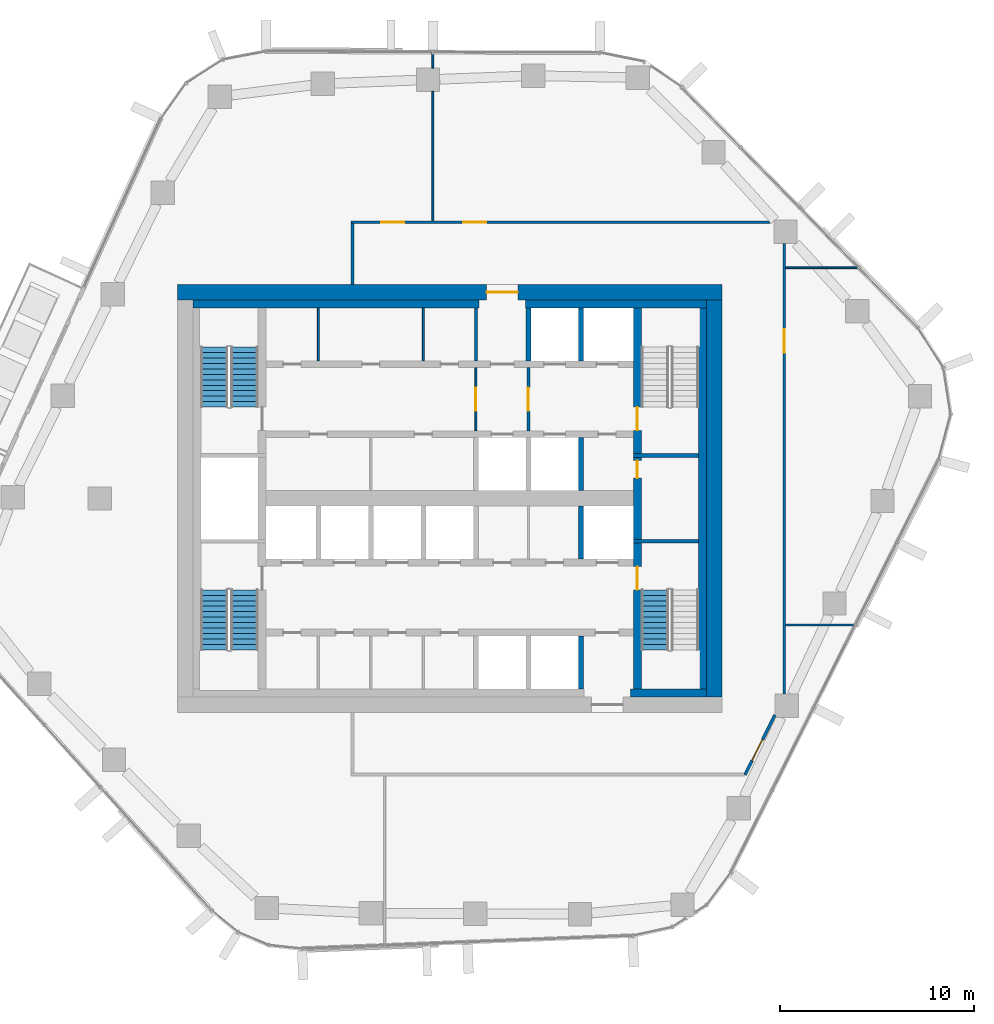
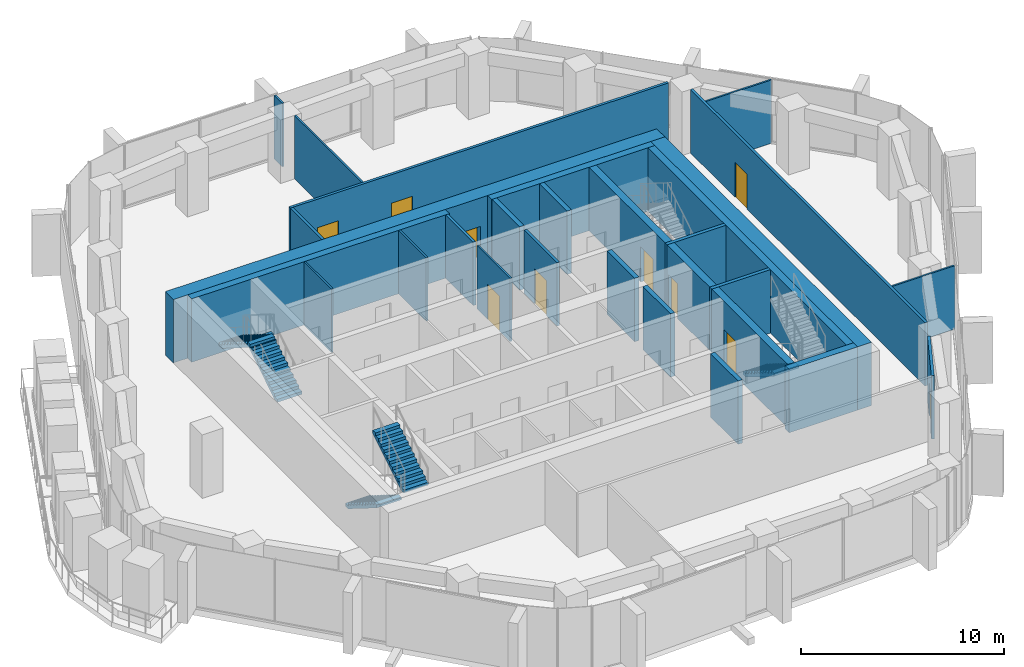
# One storey, part 13 of 18: 29 walls, 10 doors, 5 stair flights, 10 openings, 3 elements without a shape of their own.
"""IFC4 building model written with IfcOpenShell, lengths in metres."""

from ifc_helpers import new_model, si_unit, direction, frame, frame_2d, origin, place, context, subcontext, project, spatial, polyline, rectangle, outline, extrude, material, layer, layer_set, type_object, element, fill, aggregate, save


model = new_model("IFC4")

# Units and contexts
model_context = context("Model", 3, precision=1e-05, world=origin(), true_north=direction((0.0, 1.0)))
body_context = subcontext(model_context, "Body", "Model", "MODEL_VIEW")
ifc_project = project(units=[si_unit("LENGTHUNIT", "METRE"), si_unit("AREAUNIT", "SQUARE_METRE"), si_unit("VOLUMEUNIT", "CUBIC_METRE"), si_unit("PLANEANGLEUNIT", "RADIAN"), si_unit("MASSUNIT", "GRAM", prefix="KILO")], contexts=[model_context])

# Site, building, storey
site_placement = place(None, origin())
site = spatial("IfcSite", under=ifc_project, at=site_placement, CompositionType="ELEMENT")
building_placement = place(site_placement, origin())
building = spatial("IfcBuilding", under=site, at=building_placement, Name="Dongbaek Canopy Tower", CompositionType="ELEMENT")
storey_placement = place(building_placement, frame((0.0, 0.0, 203.0)))
storey = spatial("IfcBuildingStorey", under=building, at=storey_placement, Name="L42", CompositionType="ELEMENT", Elevation=203.0)

# Wall, opening, door
ifc_material_1 = material(Name="Concrete C70/85", Category="concrete")
ifc_layer_1 = layer(ifc_material_1, 0.800048828125)
ifc_layer_set_1 = layer_set([ifc_layer_1], Name="Core outer wall 800 Concrete C70/85")
wall_type_1 = type_object("IfcWallType", Name="Core outer wall 800 Concrete C70/85", PredefinedType="SHEAR", material=ifc_layer_set_1)
wall_1_placement = place(storey_placement, frame((-14.0, 10.60009765625, 0.0), z_axis=(0.0, 0.0, 1.0), x_axis=(1.0, 0.0, 0.0)))
wall_1 = element("IfcWall", 1, at=wall_1_placement, inside=storey, type_object=wall_type_1, Name="Core wall", PredefinedType="SHEAR", context=body_context, shape_type="SweptSolid", body=[
    extrude(rectangle(XDim=28.0, YDim=0.800048828125, at=frame_2d((14.0, 0.0))), origin(), (0.0, 0.0, 1.0), 3.820068359375),
])
opening_1_placement = place(wall_1_placement, frame((15.89990234375, 0.0, 0.0)))
opening_1 = element("IfcOpeningElement", 2, at=opening_1_placement, cuts=wall_1, Name="Opening L42-D006", PredefinedType="OPENING", context=body_context, shape_type="SweptSolid", body=[
    extrude(rectangle(XDim=1.60009765625, YDim=2.10009765625, at=frame_2d((0.800048828125, 1.050048828125))), frame((0.0, 0.409912109375, 0.0), z_axis=(0.0, -1.0, 0.0), x_axis=(1.0, 0.0, 0.0)), (0.0, 0.0, 1.0), 0.820068359375),
])
ifc_material_2 = material(Name="Steel", Category="steel")
door_type_1 = type_object("IfcDoorType", Name="Core exit door 1600 x 2100", OperationType="DOUBLE_DOOR_SINGLE_SWING", PredefinedType="DOOR", material=ifc_material_2)
door_1_placement = place(opening_1_placement, origin())
door_1 = element("IfcDoor", 3, at=door_1_placement, inside=storey, type_object=door_type_1, Name="Core exit door", OperationType="DOUBLE_DOOR_SINGLE_SWING", OverallHeight=2.10009765625, OverallWidth=1.60009765625, PredefinedType="DOOR", context=body_context, shape_type="SweptSolid", body=[
    extrude(rectangle(XDim=1.60009765625, YDim=2.10009765625, at=frame_2d((0.800048828125, 1.050048828125))), frame((0.0, 0.02490234375, 0.0), z_axis=(0.0, -1.0, 0.0), x_axis=(1.0, 0.0, 0.0)), (0.0, 0.0, 1.0), 0.050048828125),
])
fill(opening_1, door_1)

# Walls
wall_2_placement = place(storey_placement, frame((13.60009765625, 10.199951171875, 0.0), z_axis=(0.0, 0.0, 1.0), x_axis=(0.0, -1.0, 0.0)))
element("IfcWall", 4, at=wall_2_placement, inside=storey, type_object=wall_type_1, Name="Core wall", PredefinedType="SHEAR", context=body_context, shape_type="SweptSolid", body=[
    extrude(rectangle(XDim=20.39990234375, YDim=0.800048828125, at=frame_2d((10.199951171875, 0.0))), origin(), (0.0, 0.0, 1.0), 3.820068359375),
])
ifc_material_3 = material(Name="Concrete C60/75", Category="concrete")
ifc_layer_2 = layer(ifc_material_3, 0.39990234375)
ifc_layer_set_2 = layer_set([ifc_layer_2], Name="Core wall lining 400 Concrete C60/75")
wall_type_2 = type_object("IfcWallType", Name="Core wall lining 400 Concrete C60/75", PredefinedType="SHEAR", material=ifc_layer_set_2)
wall_3_placement = place(storey_placement, frame((-13.199951171875, 10.0, 0.0), z_axis=(0.0, 0.0, 1.0), x_axis=(1.0, 0.0, 0.0)))
element("IfcWall", 5, at=wall_3_placement, inside=storey, type_object=wall_type_2, Name="Core wall lining", PredefinedType="SHEAR", context=body_context, shape_type="SweptSolid", body=[
    extrude(rectangle(XDim=14.699951171875, YDim=0.39990234375, at=frame_2d((7.35009765625, 0.0))), origin(), (0.0, 0.0, 1.0), 3.820068359375),
])
wall_4_placement = place(storey_placement, frame((3.89990234375, 10.0, 0.0), z_axis=(0.0, 0.0, 1.0), x_axis=(1.0, 0.0, 0.0)))
element("IfcWall", 6, at=wall_4_placement, inside=storey, type_object=wall_type_2, Name="Core wall lining", PredefinedType="SHEAR", context=body_context, shape_type="SweptSolid", body=[
    extrude(rectangle(XDim=9.300048828125, YDim=0.39990234375, at=frame_2d((4.64990234375, 0.0))), origin(), (0.0, 0.0, 1.0), 3.820068359375),
])
wall_5_placement = place(storey_placement, frame((13.199951171875, -10.0, 0.0), z_axis=(0.0, 0.0, 1.0), x_axis=(-1.0, 0.0, 0.0)))
element("IfcWall", 7, at=wall_5_placement, inside=storey, type_object=wall_type_2, Name="Core wall lining", PredefinedType="SHEAR", context=body_context, shape_type="SweptSolid", body=[
    extrude(rectangle(XDim=3.89990234375, YDim=0.39990234375, at=frame_2d((1.949951171875, 0.0))), origin(), (0.0, 0.0, 1.0), 3.820068359375),
])
wall_6_placement = place(storey_placement, frame((13.0, 9.800048828125, 0.0), z_axis=(0.0, 0.0, 1.0), x_axis=(0.0, -1.0, 0.0)))
element("IfcWall", 8, at=wall_6_placement, inside=storey, type_object=wall_type_2, Name="Core wall lining", PredefinedType="SHEAR", context=body_context, shape_type="SweptSolid", body=[
    extrude(rectangle(XDim=19.60009765625, YDim=0.39990234375, at=frame_2d((9.800048828125, 0.0))), origin(), (0.0, 0.0, 1.0), 3.820068359375),
])

# Wall, openings, doors
ifc_material_4 = material(Name="Gypsum board partition, steel stud, 2 x 15 mm fire board", Category="steel")
ifc_layer_3 = layer(ifc_material_4, 0.14990234375)
ifc_layer_set_3 = layer_set([ifc_layer_3], Name="Fire-rated partition 150 gypsum board")
wall_type_3 = type_object("IfcWallType", Name="Fire-rated partition 150 gypsum board", PredefinedType="PARTITIONING", material=ifc_layer_set_3)
wall_7_placement = place(storey_placement, frame((-5.074951171875, 14.199951171875, 0.0), z_axis=(0.0, 0.0, 1.0), x_axis=(1.0, 0.0, 0.0)))
wall_7 = element("IfcWall", 9, at=wall_7_placement, inside=storey, type_object=wall_type_3, Name="Corridor partition", PredefinedType="PARTITIONING", context=body_context, shape_type="SweptSolid", body=[
    extrude(rectangle(XDim=21.551025390625, YDim=0.14990234375, at=frame_2d((10.775390625, 0.0))), origin(), (0.0, 0.0, 1.0), 3.820068359375),
])
opening_2_placement = place(wall_7_placement, frame((5.763916015625, 0.0, 0.0)))
opening_2 = element("IfcOpeningElement", 10, at=opening_2_placement, cuts=wall_7, Name="Opening L42-D003", PredefinedType="OPENING", context=body_context, shape_type="SweptSolid", body=[
    extrude(rectangle(XDim=1.199951171875, YDim=2.10009765625, at=frame_2d((0.60009765625, 1.050048828125))), frame((0.0, 0.0849609375, 0.0), z_axis=(0.0, -1.0, 0.0), x_axis=(1.0, 0.0, 0.0)), (0.0, 0.0, 1.0), 0.169921875),
])
opening_3_placement = place(wall_7_placement, frame((1.544677734375, 0.0, 0.0)))
opening_3 = element("IfcOpeningElement", 11, at=opening_3_placement, cuts=wall_7, Name="Opening L42-D004", PredefinedType="OPENING", context=body_context, shape_type="SweptSolid", body=[
    extrude(rectangle(XDim=1.199951171875, YDim=2.10009765625, at=frame_2d((0.60009765625, 1.050048828125))), frame((0.0, 0.0849609375, 0.0), z_axis=(0.0, -1.0, 0.0), x_axis=(1.0, 0.0, 0.0)), (0.0, 0.0, 1.0), 0.169921875),
])
ifc_material_5 = material(Name="Timber veneered door leaf", Category="wood")
door_type_2 = type_object("IfcDoorType", Name="Room door 1200 x 2100", OperationType="SINGLE_SWING_LEFT", PredefinedType="DOOR", material=ifc_material_5)
door_2_placement = place(opening_2_placement, origin())
door_2 = element("IfcDoor", 12, at=door_2_placement, inside=storey, type_object=door_type_2, Name="Door L42-D003", OperationType="SINGLE_SWING_RIGHT", OverallHeight=2.10009765625, OverallWidth=1.199951171875, PredefinedType="DOOR", context=body_context, shape_type="SweptSolid", body=[
    extrude(rectangle(XDim=1.199951171875, YDim=2.10009765625, at=frame_2d((0.60009765625, 1.050048828125))), frame((0.0, 0.02490234375, 0.0), z_axis=(0.0, -1.0, 0.0), x_axis=(1.0, 0.0, 0.0)), (0.0, 0.0, 1.0), 0.050048828125),
])
fill(opening_2, door_2)
door_3_placement = place(opening_3_placement, origin())
door_3 = element("IfcDoor", 13, at=door_3_placement, inside=storey, type_object=door_type_2, Name="Door L42-D004", OperationType="SINGLE_SWING_LEFT", OverallHeight=2.10009765625, OverallWidth=1.199951171875, PredefinedType="DOOR", context=body_context, shape_type="SweptSolid", body=[
    extrude(rectangle(XDim=1.199951171875, YDim=2.10009765625, at=frame_2d((0.60009765625, 1.050048828125))), frame((0.0, 0.02490234375, 0.0), z_axis=(0.0, -1.0, 0.0), x_axis=(1.0, 0.0, 0.0)), (0.0, 0.0, 1.0), 0.050048828125),
])
fill(opening_3, door_3)

# Wall, opening, door
wall_8_placement = place(storey_placement, frame((16.721923828125, -11.135986328125, 0.0), z_axis=(0.0, 0.0, 1.0), x_axis=(-0.449461267312, -0.893299820433, 0.0)))
wall_8 = element("IfcWall", 14, at=wall_8_placement, inside=storey, type_object=wall_type_3, Name="Corridor partition", PredefinedType="PARTITIONING", context=body_context, shape_type="SweptSolid", body=[
    extrude(rectangle(XDim=3.43017578125, YDim=0.14990234375, at=frame_2d((1.715087890625, 0.0))), origin(), (0.0, 0.0, 1.0), 3.820068359375),
])
opening_4_placement = place(wall_8_placement, frame((1.42138671875, 0.0, 0.0)))
opening_4 = element("IfcOpeningElement", 15, at=opening_4_placement, cuts=wall_8, Name="Opening L42-D001", PredefinedType="OPENING", context=body_context, shape_type="SweptSolid", body=[
    extrude(rectangle(XDim=1.199951171875, YDim=2.10009765625, at=frame_2d((0.60009765625, 1.050048828125))), frame((0.0, 0.0849609375, 0.0), z_axis=(0.0, -1.0, 0.0), x_axis=(1.0, 0.0, 0.0)), (0.0, 0.0, 1.0), 0.169921875),
])
door_4_placement = place(opening_4_placement, origin())
door_4 = element("IfcDoor", 16, at=door_4_placement, inside=storey, type_object=door_type_2, Name="Door L42-D001", OperationType="SINGLE_SWING_RIGHT", OverallHeight=2.10009765625, OverallWidth=1.199951171875, PredefinedType="DOOR", context=body_context, shape_type="SweptSolid", body=[
    extrude(rectangle(XDim=1.199951171875, YDim=2.10009765625, at=frame_2d((0.60009765625, 1.050048828125))), frame((0.0, 0.02490234375, 0.0), z_axis=(0.0, -1.0, 0.0), x_axis=(1.0, 0.0, 0.0)), (0.0, 0.0, 1.0), 0.050048828125),
])
fill(opening_4, door_4)

wall_9_placement = place(storey_placement, frame((17.199951171875, 13.10595703125, 0.0), z_axis=(0.0, 0.0, 1.0), x_axis=(0.0, -1.0, 0.0)))
wall_9 = element("IfcWall", 17, at=wall_9_placement, inside=storey, type_object=wall_type_3, Name="Corridor partition", PredefinedType="PARTITIONING", context=body_context, shape_type="SweptSolid", body=[
    extrude(rectangle(XDim=23.171875, YDim=0.14990234375, at=frame_2d((11.5859375, 0.0))), origin(), (0.0, 0.0, 1.0), 3.820068359375),
])
opening_5_placement = place(wall_9_placement, frame((4.41162109375, 0.0, 0.0)))
opening_5 = element("IfcOpeningElement", 18, at=opening_5_placement, cuts=wall_9, Name="Opening L42-D002", PredefinedType="OPENING", context=body_context, shape_type="SweptSolid", body=[
    extrude(rectangle(XDim=1.199951171875, YDim=2.10009765625, at=frame_2d((0.60009765625, 1.050048828125))), frame((0.0, 0.0849609375, 0.0), z_axis=(0.0, -1.0, 0.0), x_axis=(1.0, 0.0, 0.0)), (0.0, 0.0, 1.0), 0.169921875),
])
door_5_placement = place(opening_5_placement, origin())
door_5 = element("IfcDoor", 19, at=door_5_placement, inside=storey, type_object=door_type_2, Name="Door L42-D002", OperationType="SINGLE_SWING_LEFT", OverallHeight=2.10009765625, OverallWidth=1.199951171875, PredefinedType="DOOR", context=body_context, shape_type="SweptSolid", body=[
    extrude(rectangle(XDim=1.199951171875, YDim=2.10009765625, at=frame_2d((0.60009765625, 1.050048828125))), frame((0.0, 0.02490234375, 0.0), z_axis=(0.0, -1.0, 0.0), x_axis=(1.0, 0.0, 0.0)), (0.0, 0.0, 1.0), 0.050048828125),
])
fill(opening_5, door_5)

# Wall
wall_10_placement = place(storey_placement, frame((-5.0, 11.0, 0.0), z_axis=(0.0, 0.0, 1.0), x_axis=(0.0, 1.0, 0.0)))
element("IfcWall", 20, at=wall_10_placement, inside=storey, type_object=wall_type_3, Name="Corridor partition", PredefinedType="PARTITIONING", context=body_context, shape_type="SweptSolid", body=[
    extrude(rectangle(XDim=3.125, YDim=0.14990234375, at=frame_2d((1.5625, 0.0))), origin(), (0.0, 0.0, 1.0), 3.820068359375),
])

# Wall, opening, door
wall_11_placement = place(storey_placement, frame((4.050048828125, 6.72509765625, 0.0), z_axis=(0.0, 0.0, 1.0), x_axis=(0.0, -1.0, 0.0)))
wall_11 = element("IfcWall", 21, at=wall_11_placement, inside=storey, type_object=wall_type_3, Name="Fire lobby partition", PredefinedType="PARTITIONING", context=body_context, shape_type="SweptSolid", body=[
    extrude(rectangle(XDim=3.25, YDim=0.14990234375, at=frame_2d((1.625, 0.0))), origin(), (0.0, 0.0, 1.0), 3.820068359375),
])
opening_6_placement = place(wall_11_placement, frame((1.02490234375, 0.0, 0.0)))
opening_6 = element("IfcOpeningElement", 22, at=opening_6_placement, cuts=wall_11, Name="Opening L42-D036", PredefinedType="OPENING", context=body_context, shape_type="SweptSolid", body=[
    extrude(rectangle(XDim=1.199951171875, YDim=2.10009765625, at=frame_2d((0.60009765625, 1.050048828125))), frame((0.0, 0.0849609375, 0.0), z_axis=(0.0, -1.0, 0.0), x_axis=(1.0, 0.0, 0.0)), (0.0, 0.0, 1.0), 0.169921875),
])
ifc_material_6 = material(Name="Steel", Category="steel")
door_type_3 = type_object("IfcDoorType", Name="Fire lobby door 1200 x 2100", OperationType="SINGLE_SWING_LEFT", PredefinedType="DOOR", material=ifc_material_6)
door_6_placement = place(opening_6_placement, origin())
door_6 = element("IfcDoor", 23, at=door_6_placement, inside=storey, type_object=door_type_3, Name="Door L42-D036", OperationType="SINGLE_SWING_RIGHT", OverallHeight=2.10009765625, OverallWidth=1.199951171875, PredefinedType="DOOR", context=body_context, shape_type="SweptSolid", body=[
    extrude(rectangle(XDim=1.199951171875, YDim=2.10009765625, at=frame_2d((0.60009765625, 1.050048828125))), frame((0.0, 0.02490234375, 0.0), z_axis=(0.0, -1.0, 0.0), x_axis=(1.0, 0.0, 0.0)), (0.0, 0.0, 1.0), 0.050048828125),
])
fill(opening_6, door_6)

# Walls
wall_12_placement = place(storey_placement, frame((1.35009765625, 7.074951171875, 0.0), z_axis=(0.0, 0.0, 1.0), x_axis=(0.0, 1.0, 0.0)))
element("IfcWall", 24, at=wall_12_placement, inside=storey, type_object=wall_type_3, Name="Fire lobby partition", PredefinedType="PARTITIONING", context=body_context, shape_type="SweptSolid", body=[
    extrude(rectangle(XDim=2.72509765625, YDim=0.14990234375, at=frame_2d((1.362548828125, 0.0))), origin(), (0.0, 0.0, 1.0), 3.820068359375),
])
ifc_material_7 = material(Name="Concrete C40/50", Category="concrete")
ifc_layer_4 = layer(ifc_material_7, 0.25)
ifc_layer_set_4 = layer_set([ifc_layer_4], Name="Lift shaft wall 250 Concrete C40/50")
wall_type_4 = type_object("IfcWallType", Name="Lift shaft wall 250 Concrete C40/50", PredefinedType="SOLIDWALL", material=ifc_layer_set_4)
for number, where, z_axis, x_axis, name in (
    (25, (6.75, -9.800048828125, 0.0), (0.0, 0.0, 1.0), (0.0, 1.0, 0.0), "Lift shaft wall"),
    (26, (6.75, -3.125, 0.0), (0.0, 0.0, 1.0), (0.0, 1.0, 0.0), "Lift shaft wall"),
    (27, (6.75, 0.39990234375, 0.0), (0.0, 0.0, 1.0), (0.0, 1.0, 0.0), "Lift shaft wall"),
    (28, (6.75, 7.074951171875, 0.0), (0.0, 0.0, 1.0), (0.0, 1.0, 0.0), "Lift shaft wall"),
    (29, (4.050048828125, 7.074951171875, 0.0), (0.0, 0.0, 1.0), (0.0, 1.0, 0.0), "Lift shaft wall"),
):
    element("IfcWall", number, at=place(storey_placement, frame(where, z_axis=z_axis, x_axis=x_axis)), inside=storey, type_object=wall_type_4, Name=name, PredefinedType="SOLIDWALL", context=body_context, shape_type="SweptSolid", body=[
        extrude(rectangle(XDim=2.72509765625, YDim=0.25, at=frame_2d((1.362548828125, 0.0))), origin(), (0.0, 0.0, 1.0), 3.820068359375),
    ])
ifc_material_8 = material(Name="Gypsum board partition, steel stud, 2 x 12.5 mm board", Category="steel")
ifc_layer_5 = layer(ifc_material_8, 0.10009765625)
ifc_layer_set_5 = layer_set([ifc_layer_5], Name="Partition 100 gypsum board")
wall_type_5 = type_object("IfcWallType", Name="Partition 100 gypsum board", PredefinedType="PARTITIONING", material=ifc_layer_set_5)
wall_13_placement = place(storey_placement, frame((17.27490234375, -6.506103515625, 0.0), z_axis=(0.0, 0.0, 1.0), x_axis=(1.0, 0.0, 0.0)))
element("IfcWall", 30, at=wall_13_placement, inside=storey, type_object=wall_type_5, Name="Partition", PredefinedType="PARTITIONING", context=body_context, shape_type="SweptSolid", body=[
    extrude(rectangle(XDim=3.567626953125, YDim=0.10009765625, at=frame_2d((1.78369140625, 0.0))), origin(), (0.0, 0.0, 1.0), 3.820068359375),
])
wall_14_placement = place(storey_placement, frame((17.27490234375, 11.862060546875, 0.0), z_axis=(0.0, 0.0, 1.0), x_axis=(1.0, 0.0, 0.0)))
element("IfcWall", 31, at=wall_14_placement, inside=storey, type_object=wall_type_5, Name="Partition", PredefinedType="PARTITIONING", context=body_context, shape_type="SweptSolid", body=[
    extrude(rectangle(XDim=3.73681640625, YDim=0.10009765625, at=frame_2d((1.868408203125, 0.0))), origin(), (0.0, 0.0, 1.0), 3.820068359375),
])
wall_15_placement = place(storey_placement, frame((-0.861083984375, 14.27490234375, 0.0), z_axis=(0.0, 0.0, 1.0), x_axis=(0.0, 1.0, 0.0)))
element("IfcWall", 32, at=wall_15_placement, inside=storey, type_object=wall_type_5, Name="Partition", PredefinedType="PARTITIONING", context=body_context, shape_type="SweptSolid", body=[
    extrude(rectangle(XDim=6.655029296875, YDim=0.10009765625, at=frame_2d((3.32763671875, 0.0))), origin(), (0.0, 0.0, 1.0), 3.820068359375),
])
wall_16_placement = place(storey_placement, frame((-0.861083984375, 22.1298828125, 0.0), z_axis=(0.0, 0.0, 1.0), x_axis=(0.0, 1.0, 0.0)))
element("IfcWall", 33, at=wall_16_placement, inside=storey, type_object=wall_type_5, Name="Partition", PredefinedType="PARTITIONING", context=body_context, shape_type="SweptSolid", body=[
    extrude(rectangle(XDim=0.798583984375, YDim=0.10009765625, at=frame_2d((0.3994140625, 0.0))), origin(), (0.0, 0.0, 1.0), 3.820068359375),
])

# Wall, opening, door
wall_17_placement = place(storey_placement, frame((1.35009765625, 6.72509765625, 0.0), z_axis=(0.0, 0.0, 1.0), x_axis=(0.0, -1.0, 0.0)))
wall_17 = element("IfcWall", 34, at=wall_17_placement, inside=storey, type_object=wall_type_5, Name="Core partition", PredefinedType="PARTITIONING", context=body_context, shape_type="SweptSolid", body=[
    extrude(rectangle(XDim=3.25, YDim=0.10009765625, at=frame_2d((1.625, 0.0))), origin(), (0.0, 0.0, 1.0), 3.820068359375),
])
opening_7_placement = place(wall_17_placement, frame((1.02490234375, 0.0, 0.0)))
opening_7 = element("IfcOpeningElement", 35, at=opening_7_placement, cuts=wall_17, Name="Opening L42-D035", PredefinedType="OPENING", context=body_context, shape_type="SweptSolid", body=[
    extrude(rectangle(XDim=1.199951171875, YDim=2.10009765625, at=frame_2d((0.60009765625, 1.050048828125))), frame((0.0, 0.06005859375, 0.0), z_axis=(0.0, -1.0, 0.0), x_axis=(1.0, 0.0, 0.0)), (0.0, 0.0, 1.0), 0.1201171875),
])
door_7_placement = place(opening_7_placement, origin())
door_7 = element("IfcDoor", 36, at=door_7_placement, inside=storey, type_object=door_type_3, Name="Door L42-D035", OperationType="SINGLE_SWING_LEFT", OverallHeight=2.10009765625, OverallWidth=1.199951171875, PredefinedType="DOOR", context=body_context, shape_type="SweptSolid", body=[
    extrude(rectangle(XDim=1.199951171875, YDim=2.10009765625, at=frame_2d((0.60009765625, 1.050048828125))), frame((0.0, 0.02490234375, 0.0), z_axis=(0.0, -1.0, 0.0), x_axis=(1.0, 0.0, 0.0)), (0.0, 0.0, 1.0), 0.050048828125),
])
fill(opening_7, door_7)

# Walls
for number, where, z_axis, x_axis, name in (
    (37, (-1.35009765625, 7.074951171875, 0.0), (0.0, 0.0, 1.0), (0.0, 1.0, 0.0), "Core partition"),
    (38, (-6.75, 7.074951171875, 0.0), (0.0, 0.0, 1.0), (0.0, 1.0, 0.0), "Core partition"),
):
    element("IfcWall", number, at=place(storey_placement, frame(where, z_axis=z_axis, x_axis=x_axis)), inside=storey, type_object=wall_type_5, Name=name, PredefinedType="PARTITIONING", context=body_context, shape_type="SweptSolid", body=[
        extrude(rectangle(XDim=2.72509765625, YDim=0.10009765625, at=frame_2d((1.362548828125, 0.0))), origin(), (0.0, 0.0, 1.0), 3.820068359375),
    ])
ifc_material_9 = material(Name="Concrete C60/75", Category="concrete")
ifc_layer_6 = layer(ifc_material_9, 0.199951171875)
ifc_layer_set_6 = layer_set([ifc_layer_6], Name="Riser wall 200 Concrete C60/75")
wall_type_6 = type_object("IfcWallType", Name="Riser wall 200 Concrete C60/75", PredefinedType="SHEAR", material=ifc_layer_set_6)
for number, where, z_axis, x_axis, name in (
    (39, (9.449951171875, 2.199951171875, 0.0), (0.0, 0.0, 1.0), (1.0, 0.0, 0.0), "Riser wall"),
    (40, (9.449951171875, -2.199951171875, 0.0), (0.0, 0.0, 1.0), (1.0, 0.0, 0.0), "Riser wall"),
):
    element("IfcWall", number, at=place(storey_placement, frame(where, z_axis=z_axis, x_axis=x_axis)), inside=storey, type_object=wall_type_6, Name=name, PredefinedType="SHEAR", context=body_context, shape_type="SweptSolid", body=[
        extrude(rectangle(XDim=3.35009765625, YDim=0.199951171875, at=frame_2d((1.675048828125, 0.0))), origin(), (0.0, 0.0, 1.0), 3.820068359375),
    ])

# Wall, opening, door
ifc_material_10 = material(Name="Concrete C60/75", Category="concrete")
ifc_layer_7 = layer(ifc_material_10, 0.39990234375)
ifc_layer_set_7 = layer_set([ifc_layer_7], Name="Stair wall 400 Concrete C60/75")
wall_type_7 = type_object("IfcWallType", Name="Stair wall 400 Concrete C60/75", PredefinedType="SHEAR", material=ifc_layer_set_7)
wall_18_placement = place(storey_placement, frame((9.64990234375, -2.300048828125, 0.0), z_axis=(0.0, 0.0, 1.0), x_axis=(0.0, -1.0, 0.0)))
wall_18 = element("IfcWall", 41, at=wall_18_placement, inside=storey, type_object=wall_type_7, Name="Stair wall", PredefinedType="SHEAR", context=body_context, shape_type="SweptSolid", body=[
    extrude(rectangle(XDim=7.5, YDim=0.39990234375, at=frame_2d((3.75, 0.0))), origin(), (0.0, 0.0, 1.0), 3.820068359375),
])
opening_8_placement = place(wall_18_placement, frame((1.199951171875, 0.0, 0.0)))
opening_8 = element("IfcOpeningElement", 42, at=opening_8_placement, cuts=wall_18, Name="Opening L42-D033", PredefinedType="OPENING", context=body_context, shape_type="SweptSolid", body=[
    extrude(rectangle(XDim=1.199951171875, YDim=2.10009765625, at=frame_2d((0.60009765625, 1.050048828125))), frame((0.0, 0.2099609375, 0.0), z_axis=(0.0, -1.0, 0.0), x_axis=(1.0, 0.0, 0.0)), (0.0, 0.0, 1.0), 0.419921875),
])
ifc_material_11 = material(Name="Steel", Category="steel")
door_type_4 = type_object("IfcDoorType", Name="Stair door 1200 x 2100", OperationType="SINGLE_SWING_LEFT", PredefinedType="DOOR", material=ifc_material_11)
door_8_placement = place(opening_8_placement, origin())
door_8 = element("IfcDoor", 43, at=door_8_placement, inside=storey, type_object=door_type_4, Name="Stair B door", OperationType="SINGLE_SWING_RIGHT", OverallHeight=2.10009765625, OverallWidth=1.199951171875, PredefinedType="DOOR", context=body_context, shape_type="SweptSolid", body=[
    extrude(rectangle(XDim=1.199951171875, YDim=2.10009765625, at=frame_2d((0.60009765625, 1.050048828125))), frame((0.0, 0.02490234375, 0.0), z_axis=(0.0, -1.0, 0.0), x_axis=(1.0, 0.0, 0.0)), (0.0, 0.0, 1.0), 0.050048828125),
])
fill(opening_8, door_8)

wall_19_placement = place(storey_placement, frame((9.64990234375, 2.10009765625, 0.0), z_axis=(0.0, 0.0, 1.0), x_axis=(0.0, -1.0, 0.0)))
wall_19 = element("IfcWall", 44, at=wall_19_placement, inside=storey, type_object=wall_type_7, Name="Stair wall", PredefinedType="SHEAR", context=body_context, shape_type="SweptSolid", body=[
    extrude(rectangle(XDim=4.2001953125, YDim=0.39990234375, at=frame_2d((2.10009765625, 0.0))), origin(), (0.0, 0.0, 1.0), 3.820068359375),
])
opening_9_placement = place(wall_19_placement, frame((0.14990234375, 0.0, 0.0)))
opening_9 = element("IfcOpeningElement", 45, at=opening_9_placement, cuts=wall_19, Name="Opening L42-D005", PredefinedType="OPENING", context=body_context, shape_type="SweptSolid", body=[
    extrude(rectangle(XDim=0.89990234375, YDim=2.10009765625, at=frame_2d((0.449951171875, 1.050048828125))), frame((0.0, 0.2099609375, 0.0), z_axis=(0.0, -1.0, 0.0), x_axis=(1.0, 0.0, 0.0)), (0.0, 0.0, 1.0), 0.419921875),
])
ifc_material_12 = material(Name="Steel", Category="steel")
door_type_5 = type_object("IfcDoorType", Name="Core room door 900 x 2100", OperationType="SINGLE_SWING_LEFT", PredefinedType="DOOR", material=ifc_material_12)
door_9_placement = place(opening_9_placement, origin())
door_9 = element("IfcDoor", 46, at=door_9_placement, inside=storey, type_object=door_type_5, Name="Door L42-D005", OperationType="SINGLE_SWING_RIGHT", OverallHeight=2.10009765625, OverallWidth=0.89990234375, PredefinedType="DOOR", context=body_context, shape_type="SweptSolid", body=[
    extrude(rectangle(XDim=0.89990234375, YDim=2.10009765625, at=frame_2d((0.449951171875, 1.050048828125))), frame((0.0, 0.02490234375, 0.0), z_axis=(0.0, -1.0, 0.0), x_axis=(1.0, 0.0, 0.0)), (0.0, 0.0, 1.0), 0.050048828125),
])
fill(opening_9, door_9)

wall_20_placement = place(storey_placement, frame((9.64990234375, 9.800048828125, 0.0), z_axis=(0.0, 0.0, 1.0), x_axis=(0.0, -1.0, 0.0)))
wall_20 = element("IfcWall", 47, at=wall_20_placement, inside=storey, type_object=wall_type_7, Name="Stair wall", PredefinedType="SHEAR", context=body_context, shape_type="SweptSolid", body=[
    extrude(rectangle(XDim=7.5, YDim=0.39990234375, at=frame_2d((3.75, 0.0))), origin(), (0.0, 0.0, 1.0), 3.820068359375),
])
opening_10_placement = place(wall_20_placement, frame((5.10009765625, 0.0, 0.0)))
opening_10 = element("IfcOpeningElement", 48, at=opening_10_placement, cuts=wall_20, Name="Opening L42-D031", PredefinedType="OPENING", context=body_context, shape_type="SweptSolid", body=[
    extrude(rectangle(XDim=1.199951171875, YDim=2.10009765625, at=frame_2d((0.60009765625, 1.050048828125))), frame((0.0, 0.2099609375, 0.0), z_axis=(0.0, -1.0, 0.0), x_axis=(1.0, 0.0, 0.0)), (0.0, 0.0, 1.0), 0.419921875),
])
door_10_placement = place(opening_10_placement, origin())
door_10 = element("IfcDoor", 49, at=door_10_placement, inside=storey, type_object=door_type_4, Name="Stair A door", OperationType="SINGLE_SWING_LEFT", OverallHeight=2.10009765625, OverallWidth=1.199951171875, PredefinedType="DOOR", context=body_context, shape_type="SweptSolid", body=[
    extrude(rectangle(XDim=1.199951171875, YDim=2.10009765625, at=frame_2d((0.60009765625, 1.050048828125))), frame((0.0, 0.02490234375, 0.0), z_axis=(0.0, -1.0, 0.0), x_axis=(1.0, 0.0, 0.0)), (0.0, 0.0, 1.0), 0.050048828125),
])
fill(opening_10, door_10)

# Stair, stair flights
ifc_material_13 = material(Name="Concrete C40/50", Category="concrete")
stair_type = type_object("IfcStairType", Name="Core exit stair", PredefinedType="HALF_TURN_STAIR", material=ifc_material_13)
stair_1_placement = place(storey_placement, origin())
stair_1 = element("IfcStair", 50, at=stair_1_placement, inside=storey, type_object=stair_type, Name="L42 exit stair C", PredefinedType="HALF_TURN_STAIR")
ifc_material_14 = material(Name="Concrete C40/50", Category="concrete")
ifc_layer_8 = layer(ifc_material_14, 0.14990234375)
ifc_layer_set_8 = layer_set([ifc_layer_8], Name="Core stair flight 150 waist")
stair_flight_type = type_object("IfcStairFlightType", Name="Core stair flight 150 waist", PredefinedType="STRAIGHT", material=ifc_layer_set_8)
stair_flight_1_placement = place(storey_placement, frame((-10.550048828125, 4.699951171875, 0.0), z_axis=(0.0, 0.0, 1.0), x_axis=(0.0, 1.0, 0.0)))
stair_flight_1 = element("IfcStairFlight", 51, at=stair_flight_1_placement, type_object=stair_flight_type, Name="ST-C flight 1", NumberOfRisers=12, NumberOfTreads=11, PredefinedType="STRAIGHT", RiserHeight=0.175, TreadLength=0.28, context=body_context, shape_type="SweptSolid", body=[
    extrude(outline(polyline([(0.0, 0.0), (0.0, 0.175048828125), (0.280029296875, 0.175048828125), (0.280029296875, 0.35009765625), (0.56005859375, 0.35009765625), (0.56005859375, 0.52490234375), (0.840087890625, 0.52490234375), (0.840087890625, 0.699951171875), (1.1201171875, 0.699951171875), (1.1201171875, 0.875), (1.39990234375, 0.875), (1.39990234375, 1.050048828125), (1.679931640625, 1.050048828125), (1.679931640625, 1.22509765625), (1.9599609375, 1.22509765625), (1.9599609375, 1.39990234375), (2.239990234375, 1.39990234375), (2.239990234375, 1.574951171875), (2.52001953125, 1.574951171875), (2.52001953125, 1.75), (2.800048828125, 1.75), (2.800048828125, 1.925048828125), (3.080078125, 1.925048828125), (3.080078125, 2.10009765625), (3.080078125, 1.748291015625), (0.28271484375, 0.0), (0.0, 0.0)])), frame((0.0, 0.699951171875, 0.0), z_axis=(0.0, -1.0, 0.0), x_axis=(1.0, 0.0, 0.0)), (0.0, 0.0, 1.0), 1.39990234375),
])
stair_flight_2_placement = place(storey_placement, frame((-12.10009765625, 7.780029296875, 2.10009765625), z_axis=(0.0, 0.0, 1.0), x_axis=(0.0, -1.0, 0.0)))
stair_flight_2 = element("IfcStairFlight", 52, at=stair_flight_2_placement, type_object=stair_flight_type, Name="ST-C flight 2", NumberOfRisers=12, NumberOfTreads=11, PredefinedType="STRAIGHT", RiserHeight=0.175, TreadLength=0.28, context=body_context, shape_type="SweptSolid", body=[
    extrude(outline(polyline([(0.0, 0.0), (0.0, 0.175048828125), (0.280029296875, 0.175048828125), (0.280029296875, 0.35009765625), (0.56005859375, 0.35009765625), (0.56005859375, 0.52490234375), (0.840087890625, 0.52490234375), (0.840087890625, 0.699951171875), (1.1201171875, 0.699951171875), (1.1201171875, 0.875), (1.39990234375, 0.875), (1.39990234375, 1.050048828125), (1.679931640625, 1.050048828125), (1.679931640625, 1.22509765625), (1.9599609375, 1.22509765625), (1.9599609375, 1.39990234375), (2.239990234375, 1.39990234375), (2.239990234375, 1.574951171875), (2.52001953125, 1.574951171875), (2.52001953125, 1.75), (2.800048828125, 1.75), (2.800048828125, 1.925048828125), (3.080078125, 1.925048828125), (3.080078125, 2.10009765625), (3.080078125, 1.748291015625), (0.28271484375, 0.0), (0.0, 0.0)])), frame((0.0, 0.699951171875, 0.0), z_axis=(0.0, -1.0, 0.0), x_axis=(1.0, 0.0, 0.0)), (0.0, 0.0, 1.0), 1.39990234375),
])
aggregate(stair_1, [stair_flight_1, stair_flight_2])

# Stair, stair flight
stair_2_placement = place(storey_placement, origin())
stair_2 = element("IfcStair", 53, at=stair_2_placement, inside=storey, type_object=stair_type, Name="L42 exit stair B", PredefinedType="HALF_TURN_STAIR")
stair_flight_3_placement = place(storey_placement, frame((10.550048828125, -4.699951171875, 0.0), z_axis=(0.0, 0.0, 1.0), x_axis=(0.0, -1.0, 0.0)))
stair_flight_3 = element("IfcStairFlight", 54, at=stair_flight_3_placement, type_object=stair_flight_type, Name="ST-B flight 1", NumberOfRisers=12, NumberOfTreads=11, PredefinedType="STRAIGHT", RiserHeight=0.175, TreadLength=0.28, context=body_context, shape_type="SweptSolid", body=[
    extrude(outline(polyline([(0.0, 0.0), (0.0, 0.175048828125), (0.280029296875, 0.175048828125), (0.280029296875, 0.35009765625), (0.56005859375, 0.35009765625), (0.56005859375, 0.52490234375), (0.840087890625, 0.52490234375), (0.840087890625, 0.699951171875), (1.1201171875, 0.699951171875), (1.1201171875, 0.875), (1.39990234375, 0.875), (1.39990234375, 1.050048828125), (1.679931640625, 1.050048828125), (1.679931640625, 1.22509765625), (1.9599609375, 1.22509765625), (1.9599609375, 1.39990234375), (2.239990234375, 1.39990234375), (2.239990234375, 1.574951171875), (2.52001953125, 1.574951171875), (2.52001953125, 1.75), (2.800048828125, 1.75), (2.800048828125, 1.925048828125), (3.080078125, 1.925048828125), (3.080078125, 2.10009765625), (3.080078125, 1.748291015625), (0.28271484375, 0.0), (0.0, 0.0)])), frame((0.0, 0.699951171875, 0.0), z_axis=(0.0, -1.0, 0.0), x_axis=(1.0, 0.0, 0.0)), (0.0, 0.0, 1.0), 1.39990234375),
])
aggregate(stair_2, [stair_flight_3])

# Stair, stair flights
stair_3_placement = place(storey_placement, origin())
stair_3 = element("IfcStair", 55, at=stair_3_placement, inside=storey, type_object=stair_type, Name="L42 exit stair D", PredefinedType="HALF_TURN_STAIR")
stair_flight_4_placement = place(storey_placement, frame((-12.10009765625, -4.699951171875, 0.0), z_axis=(0.0, 0.0, 1.0), x_axis=(0.0, -1.0, 0.0)))
stair_flight_4 = element("IfcStairFlight", 56, at=stair_flight_4_placement, type_object=stair_flight_type, Name="ST-D flight 1", NumberOfRisers=12, NumberOfTreads=11, PredefinedType="STRAIGHT", RiserHeight=0.175, TreadLength=0.28, context=body_context, shape_type="SweptSolid", body=[
    extrude(outline(polyline([(0.0, 0.0), (0.0, 0.175048828125), (0.280029296875, 0.175048828125), (0.280029296875, 0.35009765625), (0.56005859375, 0.35009765625), (0.56005859375, 0.52490234375), (0.840087890625, 0.52490234375), (0.840087890625, 0.699951171875), (1.1201171875, 0.699951171875), (1.1201171875, 0.875), (1.39990234375, 0.875), (1.39990234375, 1.050048828125), (1.679931640625, 1.050048828125), (1.679931640625, 1.22509765625), (1.9599609375, 1.22509765625), (1.9599609375, 1.39990234375), (2.239990234375, 1.39990234375), (2.239990234375, 1.574951171875), (2.52001953125, 1.574951171875), (2.52001953125, 1.75), (2.800048828125, 1.75), (2.800048828125, 1.925048828125), (3.080078125, 1.925048828125), (3.080078125, 2.10009765625), (3.080078125, 1.748291015625), (0.28271484375, 0.0), (0.0, 0.0)])), frame((0.0, 0.699951171875, 0.0), z_axis=(0.0, -1.0, 0.0), x_axis=(1.0, 0.0, 0.0)), (0.0, 0.0, 1.0), 1.39990234375),
])
stair_flight_5_placement = place(storey_placement, frame((-10.550048828125, -7.780029296875, 2.10009765625), z_axis=(0.0, 0.0, 1.0), x_axis=(0.0, 1.0, 0.0)))
stair_flight_5 = element("IfcStairFlight", 57, at=stair_flight_5_placement, type_object=stair_flight_type, Name="ST-D flight 2", NumberOfRisers=12, NumberOfTreads=11, PredefinedType="STRAIGHT", RiserHeight=0.175, TreadLength=0.28, context=body_context, shape_type="SweptSolid", body=[
    extrude(outline(polyline([(0.0, 0.0), (0.0, 0.175048828125), (0.280029296875, 0.175048828125), (0.280029296875, 0.35009765625), (0.56005859375, 0.35009765625), (0.56005859375, 0.52490234375), (0.840087890625, 0.52490234375), (0.840087890625, 0.699951171875), (1.1201171875, 0.699951171875), (1.1201171875, 0.875), (1.39990234375, 0.875), (1.39990234375, 1.050048828125), (1.679931640625, 1.050048828125), (1.679931640625, 1.22509765625), (1.9599609375, 1.22509765625), (1.9599609375, 1.39990234375), (2.239990234375, 1.39990234375), (2.239990234375, 1.574951171875), (2.52001953125, 1.574951171875), (2.52001953125, 1.75), (2.800048828125, 1.75), (2.800048828125, 1.925048828125), (3.080078125, 1.925048828125), (3.080078125, 2.10009765625), (3.080078125, 1.748291015625), (0.28271484375, 0.0), (0.0, 0.0)])), frame((0.0, 0.699951171875, 0.0), z_axis=(0.0, -1.0, 0.0), x_axis=(1.0, 0.0, 0.0)), (0.0, 0.0, 1.0), 1.39990234375),
])
aggregate(stair_3, [stair_flight_4, stair_flight_5])

save(model, "model.ifc")
